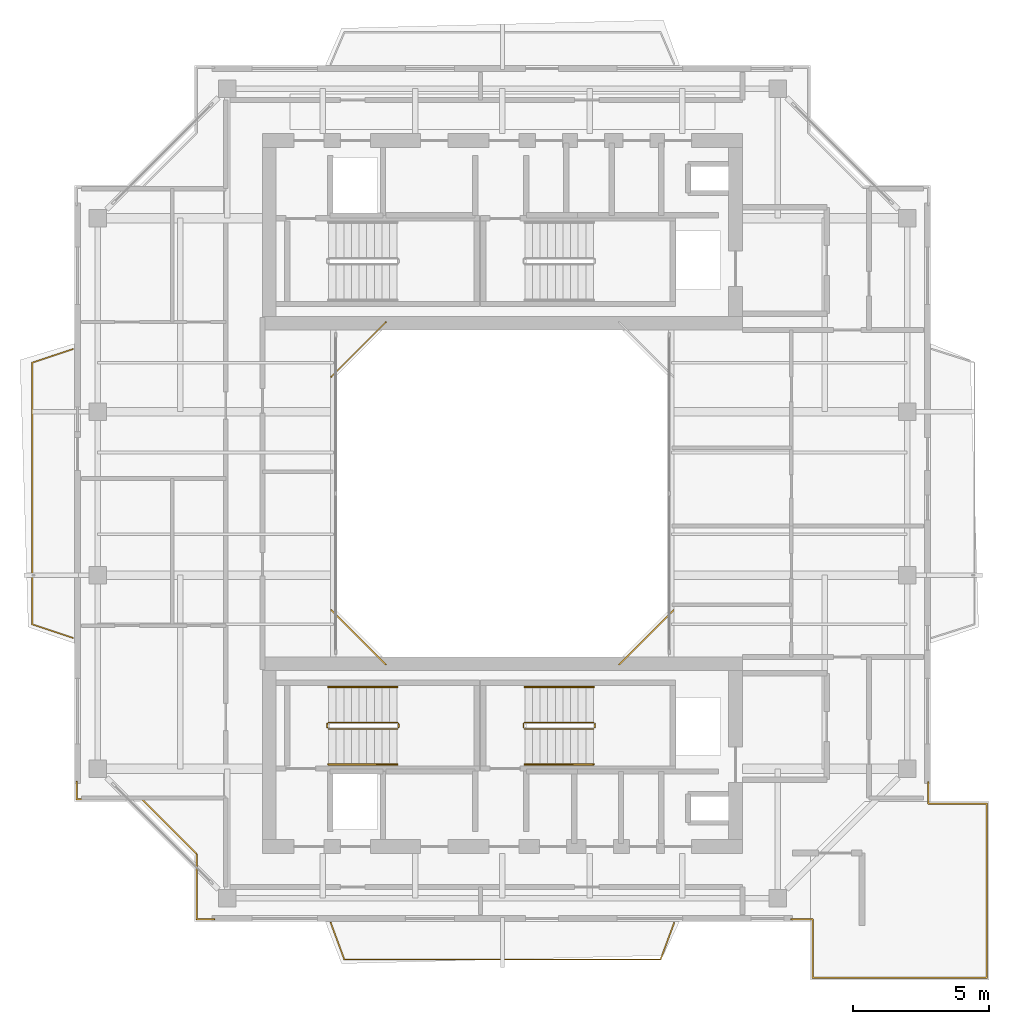
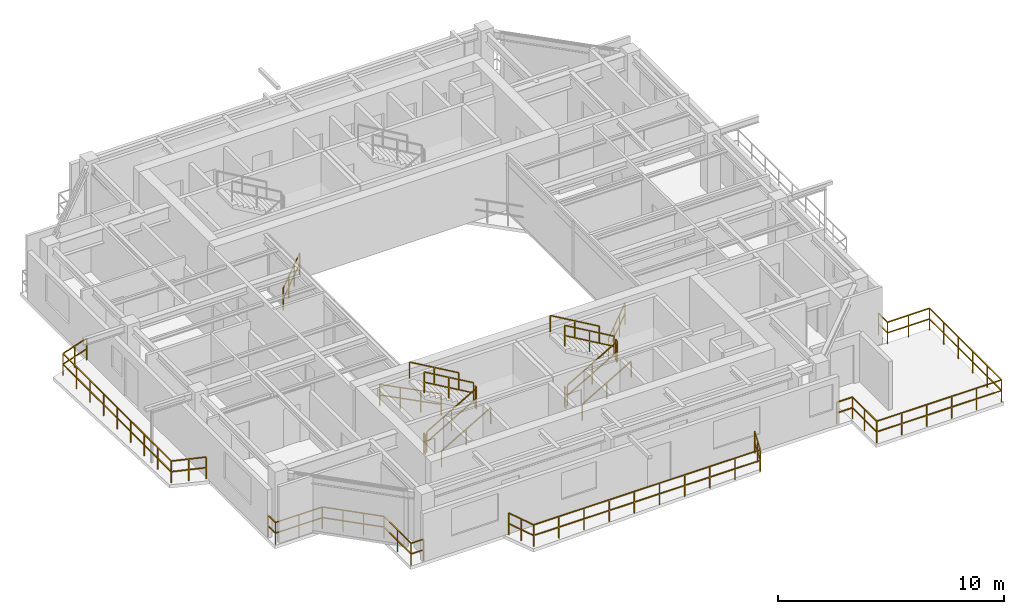
# One storey, part 13 of 14: 19 railings.
"""IFC4 building model written with IfcOpenShell, lengths in metres."""

from ifc_helpers import new_model, si_unit, direction, frame, origin, origin_2d, place, context, subcontext, project, spatial, rectangle, extrude, material, type_object, element, save


model = new_model("IFC4")

# Units and contexts
model_context = context("Model", 3, precision=1e-05, world=origin(), true_north=direction((0.0, 1.0)))
body_context = subcontext(model_context, "Body", "Model", "MODEL_VIEW")
ifc_project = project(units=[si_unit("LENGTHUNIT", "METRE"), si_unit("AREAUNIT", "SQUARE_METRE"), si_unit("VOLUMEUNIT", "CUBIC_METRE"), si_unit("PLANEANGLEUNIT", "RADIAN"), si_unit("MASSUNIT", "GRAM", prefix="KILO"), si_unit("THERMODYNAMICTEMPERATUREUNIT", "KELVIN"), si_unit("POWERUNIT", "WATT")], contexts=[model_context])

# Site, building, storey
site_placement = place(None, origin())
site = spatial("IfcSite", under=ifc_project, at=site_placement, CompositionType="ELEMENT")
building_placement = place(site_placement, origin())
building = spatial("IfcBuilding", under=site, at=building_placement, Name="Qiaomeng Ring Towers", CompositionType="ELEMENT")
storey_placement = place(building_placement, frame((0.0, 0.0, 253.5)))
storey = spatial("IfcBuildingStorey", under=building, at=storey_placement, Name="L74", CompositionType="ELEMENT", Elevation=253.5)

# Railings
ifc_material_1 = material(Name="Low-E pale-green laminated safety glass", Category="glass")
railing_type_1 = type_object("IfcRailingType", Name="ARC-RL-BAL1", PredefinedType="BALUSTRADE", material=ifc_material_1)
railing_1_placement = place(storey_placement, frame((23.280029296875, 16.719970703125, 0.0)))
element("IfcRailing", 1, at=railing_1_placement, inside=storey, type_object=railing_type_1, Name="L74 Balustrade ARC-BAL-WELL1-L74-1", PredefinedType="BALUSTRADE", context=body_context, shape_type="SweptSolid", body=[
    extrude(rectangle(XDim=0.048095703125, YDim=0.048095703125, at=origin_2d()), frame((0.0, 0.0, 1.17578125), z_axis=(0.707106781187, 0.707106781187, 0.0), x_axis=(-0.707106781187, 0.707106781187, 0.0)), (0.0, 0.0, 1.0), 2.828369140625),
    extrude(rectangle(XDim=0.048095703125, YDim=0.048095703125, at=origin_2d()), frame((0.0, 0.0, 0.60009765625), z_axis=(0.707106781187, 0.707106781187, 0.0), x_axis=(-0.707106781187, 0.707106781187, 0.0)), (0.0, 0.0, 1.0), 2.828369140625),
    extrude(rectangle(XDim=0.0419921875, YDim=0.0419921875, at=origin_2d()), origin(), (0.0, 0.0, 1.0), 1.15185546875),
    extrude(rectangle(XDim=0.0419921875, YDim=0.0419921875, at=origin_2d()), frame((0.666748046875, 0.666748046875, 0.0)), (0.0, 0.0, 1.0), 1.15185546875),
    extrude(rectangle(XDim=0.0419921875, YDim=0.0419921875, at=origin_2d()), frame((1.333251953125, 1.333251953125, 0.0)), (0.0, 0.0, 1.0), 1.15185546875),
    extrude(rectangle(XDim=0.0419921875, YDim=0.0419921875, at=origin_2d()), frame((2.0, 2.0, 0.0)), (0.0, 0.0, 1.0), 1.15185546875),
])
railing_2_placement = place(storey_placement, frame((14.719970703125, 29.280029296875, 0.0)))
element("IfcRailing", 2, at=railing_2_placement, inside=storey, type_object=railing_type_1, Name="L74 Balustrade ARC-BAL-WELL1-L74-3", PredefinedType="BALUSTRADE", context=body_context, shape_type="SweptSolid", body=[
    extrude(rectangle(XDim=0.048095703125, YDim=0.048095703125, at=origin_2d()), frame((0.0, 0.0, 1.17578125), z_axis=(-0.707106781187, -0.707106781187, 0.0), x_axis=(0.707106781187, -0.707106781187, 0.0)), (0.0, 0.0, 1.0), 2.828369140625),
    extrude(rectangle(XDim=0.048095703125, YDim=0.048095703125, at=origin_2d()), frame((0.0, 0.0, 0.60009765625), z_axis=(-0.707106781187, -0.707106781187, 0.0), x_axis=(0.707106781187, -0.707106781187, 0.0)), (0.0, 0.0, 1.0), 2.828369140625),
    extrude(rectangle(XDim=0.0419921875, YDim=0.0419921875, at=origin_2d()), origin(), (0.0, 0.0, 1.0), 1.15185546875),
    extrude(rectangle(XDim=0.0419921875, YDim=0.0419921875, at=origin_2d()), frame((-0.666748046875, -0.666748046875, 0.0)), (0.0, 0.0, 1.0), 1.15185546875),
    extrude(rectangle(XDim=0.0419921875, YDim=0.0419921875, at=origin_2d()), frame((-1.333251953125, -1.333251953125, 0.0)), (0.0, 0.0, 1.0), 1.15185546875),
    extrude(rectangle(XDim=0.0419921875, YDim=0.0419921875, at=origin_2d()), frame((-2.0, -2.0, 0.0)), (0.0, 0.0, 1.0), 1.15185546875),
])
railing_3_placement = place(storey_placement, frame((12.719970703125, 18.719970703125, 0.0)))
element("IfcRailing", 3, at=railing_3_placement, inside=storey, type_object=railing_type_1, Name="L74 Balustrade ARC-BAL-WELL1-L74-4", PredefinedType="BALUSTRADE", context=body_context, shape_type="SweptSolid", body=[
    extrude(rectangle(XDim=0.048095703125, YDim=0.048095703125, at=origin_2d()), frame((0.0, 0.0, 1.17578125), z_axis=(0.707106781187, -0.707106781187, 0.0), x_axis=(0.707106781187, 0.707106781187, 0.0)), (0.0, 0.0, 1.0), 2.828369140625),
    extrude(rectangle(XDim=0.048095703125, YDim=0.048095703125, at=origin_2d()), frame((0.0, 0.0, 0.60009765625), z_axis=(0.707106781187, -0.707106781187, 0.0), x_axis=(0.707106781187, 0.707106781187, 0.0)), (0.0, 0.0, 1.0), 2.828369140625),
    extrude(rectangle(XDim=0.0419921875, YDim=0.0419921875, at=origin_2d()), origin(), (0.0, 0.0, 1.0), 1.15185546875),
    extrude(rectangle(XDim=0.0419921875, YDim=0.0419921875, at=origin_2d()), frame((0.666748046875, -0.666748046875, 0.0)), (0.0, 0.0, 1.0), 1.15185546875),
    extrude(rectangle(XDim=0.0419921875, YDim=0.0419921875, at=origin_2d()), frame((1.333251953125, -1.333251953125, 0.0)), (0.0, 0.0, 1.0), 1.15185546875),
    extrude(rectangle(XDim=0.0419921875, YDim=0.0419921875, at=origin_2d()), frame((2.0, -2.0, 0.0)), (0.0, 0.0, 1.0), 1.15185546875),
])
railing_4_placement = place(storey_placement, frame((29.580078125, 7.3798828125, 0.0)))
element("IfcRailing", 4, at=railing_4_placement, inside=storey, type_object=railing_type_1, Name="L74 Balustrade ARC-BAL-L74-SPIRAL-SE", PredefinedType="BALUSTRADE", context=body_context, shape_type="SweptSolid", body=[
    extrude(rectangle(XDim=0.048095703125, YDim=0.048095703125, at=origin_2d()), frame((0.0, 0.0, 1.17578125), z_axis=(1.0, 0.0, 0.0), x_axis=(0.0, 1.0, 0.0)), (0.0, 0.0, 1.0), 0.7998046875),
    extrude(rectangle(XDim=0.048095703125, YDim=0.048095703125, at=origin_2d()), frame((0.0, 0.0, 0.60009765625), z_axis=(1.0, 0.0, 0.0), x_axis=(0.0, 1.0, 0.0)), (0.0, 0.0, 1.0), 0.7998046875),
    extrude(rectangle(XDim=0.048095703125, YDim=0.048095703125, at=origin_2d()), frame((0.7998046875, 0.0, 1.17578125), z_axis=(0.0, -1.0, 0.0), x_axis=(1.0, 0.0, 0.0)), (0.0, 0.0, 1.0), 2.14990234375),
    extrude(rectangle(XDim=0.048095703125, YDim=0.048095703125, at=origin_2d()), frame((0.7998046875, 0.0, 0.60009765625), z_axis=(0.0, -1.0, 0.0), x_axis=(1.0, 0.0, 0.0)), (0.0, 0.0, 1.0), 2.14990234375),
    extrude(rectangle(XDim=0.048095703125, YDim=0.048095703125, at=origin_2d()), frame((0.7998046875, -2.14990234375, 1.17578125), z_axis=(1.0, 0.0, 0.0), x_axis=(0.0, 1.0, 0.0)), (0.0, 0.0, 1.0), 6.39013671875),
    extrude(rectangle(XDim=0.048095703125, YDim=0.048095703125, at=origin_2d()), frame((0.7998046875, -2.14990234375, 0.60009765625), z_axis=(1.0, 0.0, 0.0), x_axis=(0.0, 1.0, 0.0)), (0.0, 0.0, 1.0), 6.39013671875),
    extrude(rectangle(XDim=0.048095703125, YDim=0.048095703125, at=origin_2d()), frame((7.18994140625, -2.14990234375, 1.17578125), z_axis=(0.0, 1.0, 0.0), x_axis=(-1.0, 0.0, 0.0)), (0.0, 0.0, 1.0), 6.39013671875),
    extrude(rectangle(XDim=0.048095703125, YDim=0.048095703125, at=origin_2d()), frame((7.18994140625, -2.14990234375, 0.60009765625), z_axis=(0.0, 1.0, 0.0), x_axis=(-1.0, 0.0, 0.0)), (0.0, 0.0, 1.0), 6.39013671875),
    extrude(rectangle(XDim=0.048095703125, YDim=0.048095703125, at=origin_2d()), frame((7.18994140625, 4.240234375, 1.17578125), z_axis=(-1.0, 0.0, 0.0), x_axis=(0.0, -1.0, 0.0)), (0.0, 0.0, 1.0), 2.14990234375),
    extrude(rectangle(XDim=0.048095703125, YDim=0.048095703125, at=origin_2d()), frame((7.18994140625, 4.240234375, 0.60009765625), z_axis=(-1.0, 0.0, 0.0), x_axis=(0.0, -1.0, 0.0)), (0.0, 0.0, 1.0), 2.14990234375),
    extrude(rectangle(XDim=0.048095703125, YDim=0.048095703125, at=origin_2d()), frame((5.0400390625, 4.240234375, 1.17578125), z_axis=(0.0, 1.0, 0.0), x_axis=(-1.0, 0.0, 0.0)), (0.0, 0.0, 1.0), 0.7998046875),
    extrude(rectangle(XDim=0.048095703125, YDim=0.048095703125, at=origin_2d()), frame((5.0400390625, 4.240234375, 0.60009765625), z_axis=(0.0, 1.0, 0.0), x_axis=(-1.0, 0.0, 0.0)), (0.0, 0.0, 1.0), 0.7998046875),
    extrude(rectangle(XDim=0.0419921875, YDim=0.0419921875, at=origin_2d()), origin(), (0.0, 0.0, 1.0), 1.15185546875),
    extrude(rectangle(XDim=0.0419921875, YDim=0.0419921875, at=origin_2d()), frame((0.7998046875, 0.0, 0.0)), (0.0, 0.0, 1.0), 1.15185546875),
    extrude(rectangle(XDim=0.0419921875, YDim=0.0419921875, at=origin_2d()), frame((0.7998046875, -1.074951171875, 0.0)), (0.0, 0.0, 1.0), 1.15185546875),
    extrude(rectangle(XDim=0.0419921875, YDim=0.0419921875, at=origin_2d()), frame((0.7998046875, -2.14990234375, 0.0)), (0.0, 0.0, 1.0), 1.15185546875),
    extrude(rectangle(XDim=0.0419921875, YDim=0.0419921875, at=origin_2d()), frame((2.077880859375, -2.14990234375, 0.0)), (0.0, 0.0, 1.0), 1.15185546875),
    extrude(rectangle(XDim=0.0419921875, YDim=0.0419921875, at=origin_2d()), frame((3.35595703125, -2.14990234375, 0.0)), (0.0, 0.0, 1.0), 1.15185546875),
    extrude(rectangle(XDim=0.0419921875, YDim=0.0419921875, at=origin_2d()), frame((4.6337890625, -2.14990234375, 0.0)), (0.0, 0.0, 1.0), 1.15185546875),
    extrude(rectangle(XDim=0.0419921875, YDim=0.0419921875, at=origin_2d()), frame((5.911865234375, -2.14990234375, 0.0)), (0.0, 0.0, 1.0), 1.15185546875),
    extrude(rectangle(XDim=0.0419921875, YDim=0.0419921875, at=origin_2d()), frame((7.18994140625, -2.14990234375, 0.0)), (0.0, 0.0, 1.0), 1.15185546875),
    extrude(rectangle(XDim=0.0419921875, YDim=0.0419921875, at=origin_2d()), frame((7.18994140625, -0.871826171875, 0.0)), (0.0, 0.0, 1.0), 1.15185546875),
    extrude(rectangle(XDim=0.0419921875, YDim=0.0419921875, at=origin_2d()), frame((7.18994140625, 0.40625, 0.0)), (0.0, 0.0, 1.0), 1.15185546875),
    extrude(rectangle(XDim=0.0419921875, YDim=0.0419921875, at=origin_2d()), frame((7.18994140625, 1.68408203125, 0.0)), (0.0, 0.0, 1.0), 1.15185546875),
    extrude(rectangle(XDim=0.0419921875, YDim=0.0419921875, at=origin_2d()), frame((7.18994140625, 2.962158203125, 0.0)), (0.0, 0.0, 1.0), 1.15185546875),
    extrude(rectangle(XDim=0.0419921875, YDim=0.0419921875, at=origin_2d()), frame((7.18994140625, 4.240234375, 0.0)), (0.0, 0.0, 1.0), 1.15185546875),
    extrude(rectangle(XDim=0.0419921875, YDim=0.0419921875, at=origin_2d()), frame((6.114990234375, 4.240234375, 0.0)), (0.0, 0.0, 1.0), 1.15185546875),
    extrude(rectangle(XDim=0.0419921875, YDim=0.0419921875, at=origin_2d()), frame((5.0400390625, 4.240234375, 0.0)), (0.0, 0.0, 1.0), 1.15185546875),
    extrude(rectangle(XDim=0.0419921875, YDim=0.0419921875, at=origin_2d()), frame((5.0400390625, 5.0400390625, 0.0)), (0.0, 0.0, 1.0), 1.15185546875),
])
railing_5_placement = place(storey_placement, frame((3.3798828125, 12.429931640625, 0.0)))
element("IfcRailing", 5, at=railing_5_placement, inside=storey, type_object=railing_type_1, Name="L74 Balustrade ARC-BAL-NOTCH1-L74-SW", PredefinedType="BALUSTRADE", context=body_context, shape_type="SweptSolid", body=[
    extrude(rectangle(XDim=0.048095703125, YDim=0.048095703125, at=origin_2d()), frame((0.0, 0.0, 1.17578125), z_axis=(0.0, -1.0, 0.0), x_axis=(1.0, 0.0, 0.0)), (0.0, 0.0, 1.0), 0.64990234375),
    extrude(rectangle(XDim=0.048095703125, YDim=0.048095703125, at=origin_2d()), frame((0.0, 0.0, 0.60009765625), z_axis=(0.0, -1.0, 0.0), x_axis=(1.0, 0.0, 0.0)), (0.0, 0.0, 1.0), 0.64990234375),
    extrude(rectangle(XDim=0.048095703125, YDim=0.048095703125, at=origin_2d()), frame((0.0, -0.64990234375, 1.17578125), z_axis=(1.0, 0.0, 0.0), x_axis=(0.0, 1.0, 0.0)), (0.0, 0.0, 1.0), 2.400146484375),
    extrude(rectangle(XDim=0.048095703125, YDim=0.048095703125, at=origin_2d()), frame((0.0, -0.64990234375, 0.60009765625), z_axis=(1.0, 0.0, 0.0), x_axis=(0.0, 1.0, 0.0)), (0.0, 0.0, 1.0), 2.400146484375),
    extrude(rectangle(XDim=0.048095703125, YDim=0.048095703125, at=origin_2d()), frame((2.400146484375, -0.64990234375, 1.17578125), z_axis=(0.707106781187, -0.707106781187, 0.0), x_axis=(0.707106781187, 0.707106781187, 0.0)), (0.0, 0.0, 1.0), 2.828369140625),
    extrude(rectangle(XDim=0.048095703125, YDim=0.048095703125, at=origin_2d()), frame((2.400146484375, -0.64990234375, 0.60009765625), z_axis=(0.707106781187, -0.707106781187, 0.0), x_axis=(0.707106781187, 0.707106781187, 0.0)), (0.0, 0.0, 1.0), 2.828369140625),
    extrude(rectangle(XDim=0.048095703125, YDim=0.048095703125, at=origin_2d()), frame((4.400146484375, -2.64990234375, 1.17578125), z_axis=(0.0, -1.0, 0.0), x_axis=(1.0, 0.0, 0.0)), (0.0, 0.0, 1.0), 2.400146484375),
    extrude(rectangle(XDim=0.048095703125, YDim=0.048095703125, at=origin_2d()), frame((4.400146484375, -2.64990234375, 0.60009765625), z_axis=(0.0, -1.0, 0.0), x_axis=(1.0, 0.0, 0.0)), (0.0, 0.0, 1.0), 2.400146484375),
    extrude(rectangle(XDim=0.048095703125, YDim=0.048095703125, at=origin_2d()), frame((4.400146484375, -5.050048828125, 1.17578125), z_axis=(1.0, 0.0, 0.0), x_axis=(0.0, 1.0, 0.0)), (0.0, 0.0, 1.0), 0.64990234375),
    extrude(rectangle(XDim=0.048095703125, YDim=0.048095703125, at=origin_2d()), frame((4.400146484375, -5.050048828125, 0.60009765625), z_axis=(1.0, 0.0, 0.0), x_axis=(0.0, 1.0, 0.0)), (0.0, 0.0, 1.0), 0.64990234375),
    extrude(rectangle(XDim=0.0419921875, YDim=0.0419921875, at=origin_2d()), origin(), (0.0, 0.0, 1.0), 1.15185546875),
    extrude(rectangle(XDim=0.0419921875, YDim=0.0419921875, at=origin_2d()), frame((0.0, -0.64990234375, 0.0)), (0.0, 0.0, 1.0), 1.15185546875),
    extrude(rectangle(XDim=0.0419921875, YDim=0.0419921875, at=origin_2d()), frame((1.2001953125, -0.64990234375, 0.0)), (0.0, 0.0, 1.0), 1.15185546875),
    extrude(rectangle(XDim=0.0419921875, YDim=0.0419921875, at=origin_2d()), frame((2.400146484375, -0.64990234375, 0.0)), (0.0, 0.0, 1.0), 1.15185546875),
    extrude(rectangle(XDim=0.0419921875, YDim=0.0419921875, at=origin_2d()), frame((3.06689453125, -1.316650390625, 0.0)), (0.0, 0.0, 1.0), 1.15185546875),
    extrude(rectangle(XDim=0.0419921875, YDim=0.0419921875, at=origin_2d()), frame((3.7333984375, -1.983154296875, 0.0)), (0.0, 0.0, 1.0), 1.15185546875),
    extrude(rectangle(XDim=0.0419921875, YDim=0.0419921875, at=origin_2d()), frame((4.400146484375, -2.64990234375, 0.0)), (0.0, 0.0, 1.0), 1.15185546875),
    extrude(rectangle(XDim=0.0419921875, YDim=0.0419921875, at=origin_2d()), frame((4.400146484375, -3.85009765625, 0.0)), (0.0, 0.0, 1.0), 1.15185546875),
    extrude(rectangle(XDim=0.0419921875, YDim=0.0419921875, at=origin_2d()), frame((4.400146484375, -5.050048828125, 0.0)), (0.0, 0.0, 1.0), 1.15185546875),
    extrude(rectangle(XDim=0.0419921875, YDim=0.0419921875, at=origin_2d()), frame((5.050048828125, -5.050048828125, 0.0)), (0.0, 0.0, 1.0), 1.15185546875),
])
railing_6_placement = place(storey_placement, frame((12.699951171875, 7.25, 0.0)))
element("IfcRailing", 6, at=railing_6_placement, inside=storey, type_object=railing_type_1, Name="L74 Balustrade ARC-BAL-L74-T1-S", PredefinedType="BALUSTRADE", context=body_context, shape_type="SweptSolid", body=[
    extrude(rectangle(XDim=0.048095703125, YDim=0.048095703125, at=origin_2d()), frame((0.0, 0.0, 1.17578125), z_axis=(0.34729226376, -0.937756942673, 0.0), x_axis=(0.937756942673, 0.34729226376, 0.0)), (0.0, 0.0, 1.0), 1.439697265625),
    extrude(rectangle(XDim=0.048095703125, YDim=0.048095703125, at=origin_2d()), frame((0.0, 0.0, 0.60009765625), z_axis=(0.34729226376, -0.937756942673, 0.0), x_axis=(0.937756942673, 0.34729226376, 0.0)), (0.0, 0.0, 1.0), 1.439697265625),
    extrude(rectangle(XDim=0.048095703125, YDim=0.048095703125, at=origin_2d()), frame((0.5, -1.35009765625, 1.17578125), z_axis=(1.0, 0.0, 0.0), x_axis=(0.0, 1.0, 0.0)), (0.0, 0.0, 1.0), 11.60009765625),
    extrude(rectangle(XDim=0.048095703125, YDim=0.048095703125, at=origin_2d()), frame((0.5, -1.35009765625, 0.60009765625), z_axis=(1.0, 0.0, 0.0), x_axis=(0.0, 1.0, 0.0)), (0.0, 0.0, 1.0), 11.60009765625),
    extrude(rectangle(XDim=0.048095703125, YDim=0.048095703125, at=origin_2d()), frame((12.10009765625, -1.35009765625, 1.17578125), z_axis=(0.34729226376, 0.937756942673, 0.0), x_axis=(-0.937756942673, 0.34729226376, 0.0)), (0.0, 0.0, 1.0), 1.439697265625),
    extrude(rectangle(XDim=0.048095703125, YDim=0.048095703125, at=origin_2d()), frame((12.10009765625, -1.35009765625, 0.60009765625), z_axis=(0.34729226376, 0.937756942673, 0.0), x_axis=(-0.937756942673, 0.34729226376, 0.0)), (0.0, 0.0, 1.0), 1.439697265625),
    extrude(rectangle(XDim=0.0419921875, YDim=0.0419921875, at=origin_2d()), origin(), (0.0, 0.0, 1.0), 1.15185546875),
    extrude(rectangle(XDim=0.0419921875, YDim=0.0419921875, at=origin_2d()), frame((0.25, -0.675048828125, 0.0)), (0.0, 0.0, 1.0), 1.15185546875),
    extrude(rectangle(XDim=0.0419921875, YDim=0.0419921875, at=origin_2d()), frame((0.5, -1.35009765625, 0.0)), (0.0, 0.0, 1.0), 1.15185546875),
    extrude(rectangle(XDim=0.0419921875, YDim=0.0419921875, at=origin_2d()), frame((1.788818359375, -1.35009765625, 0.0)), (0.0, 0.0, 1.0), 1.15185546875),
    extrude(rectangle(XDim=0.0419921875, YDim=0.0419921875, at=origin_2d()), frame((3.077880859375, -1.35009765625, 0.0)), (0.0, 0.0, 1.0), 1.15185546875),
    extrude(rectangle(XDim=0.0419921875, YDim=0.0419921875, at=origin_2d()), frame((4.36669921875, -1.35009765625, 0.0)), (0.0, 0.0, 1.0), 1.15185546875),
    extrude(rectangle(XDim=0.0419921875, YDim=0.0419921875, at=origin_2d()), frame((5.655517578125, -1.35009765625, 0.0)), (0.0, 0.0, 1.0), 1.15185546875),
    extrude(rectangle(XDim=0.0419921875, YDim=0.0419921875, at=origin_2d()), frame((6.944580078125, -1.35009765625, 0.0)), (0.0, 0.0, 1.0), 1.15185546875),
    extrude(rectangle(XDim=0.0419921875, YDim=0.0419921875, at=origin_2d()), frame((8.2333984375, -1.35009765625, 0.0)), (0.0, 0.0, 1.0), 1.15185546875),
    extrude(rectangle(XDim=0.0419921875, YDim=0.0419921875, at=origin_2d()), frame((9.522216796875, -1.35009765625, 0.0)), (0.0, 0.0, 1.0), 1.15185546875),
    extrude(rectangle(XDim=0.0419921875, YDim=0.0419921875, at=origin_2d()), frame((10.811279296875, -1.35009765625, 0.0)), (0.0, 0.0, 1.0), 1.15185546875),
    extrude(rectangle(XDim=0.0419921875, YDim=0.0419921875, at=origin_2d()), frame((12.10009765625, -1.35009765625, 0.0)), (0.0, 0.0, 1.0), 1.15185546875),
    extrude(rectangle(XDim=0.0419921875, YDim=0.0419921875, at=origin_2d()), frame((12.35009765625, -0.675048828125, 0.0)), (0.0, 0.0, 1.0), 1.15185546875),
    extrude(rectangle(XDim=0.0419921875, YDim=0.0419921875, at=origin_2d()), frame((12.60009765625, 0.0, 0.0)), (0.0, 0.0, 1.0), 1.15185546875),
])
railing_7_placement = place(storey_placement, frame((3.25, 17.699951171875, 0.0)))
element("IfcRailing", 7, at=railing_7_placement, inside=storey, type_object=railing_type_1, Name="L74 Balustrade ARC-BAL-L74-T1-W", PredefinedType="BALUSTRADE", context=body_context, shape_type="SweptSolid", body=[
    extrude(rectangle(XDim=0.048095703125, YDim=0.048095703125, at=origin_2d()), frame((0.0, 0.0, 1.17578125), z_axis=(-0.948683298051, 0.316227766017, 0.0), x_axis=(-0.316227766017, -0.948683298051, 0.0)), (0.0, 0.0, 1.0), 1.5810546875),
    extrude(rectangle(XDim=0.048095703125, YDim=0.048095703125, at=origin_2d()), frame((0.0, 0.0, 0.60009765625), z_axis=(-0.948683298051, 0.316227766017, 0.0), x_axis=(-0.316227766017, -0.948683298051, 0.0)), (0.0, 0.0, 1.0), 1.5810546875),
    extrude(rectangle(XDim=0.048095703125, YDim=0.048095703125, at=origin_2d()), frame((-1.5, 0.5, 1.17578125), z_axis=(0.0, 1.0, 0.0), x_axis=(-1.0, 0.0, 0.0)), (0.0, 0.0, 1.0), 9.60009765625),
    extrude(rectangle(XDim=0.048095703125, YDim=0.048095703125, at=origin_2d()), frame((-1.5, 0.5, 0.60009765625), z_axis=(0.0, 1.0, 0.0), x_axis=(-1.0, 0.0, 0.0)), (0.0, 0.0, 1.0), 9.60009765625),
    extrude(rectangle(XDim=0.048095703125, YDim=0.048095703125, at=origin_2d()), frame((-1.5, 10.10009765625, 1.17578125), z_axis=(0.948683298051, 0.316227766017, 0.0), x_axis=(-0.316227766017, 0.948683298051, 0.0)), (0.0, 0.0, 1.0), 1.5810546875),
    extrude(rectangle(XDim=0.048095703125, YDim=0.048095703125, at=origin_2d()), frame((-1.5, 10.10009765625, 0.60009765625), z_axis=(0.948683298051, 0.316227766017, 0.0), x_axis=(-0.316227766017, 0.948683298051, 0.0)), (0.0, 0.0, 1.0), 1.5810546875),
    extrude(rectangle(XDim=0.0419921875, YDim=0.0419921875, at=origin_2d()), origin(), (0.0, 0.0, 1.0), 1.15185546875),
    extrude(rectangle(XDim=0.0419921875, YDim=0.0419921875, at=origin_2d()), frame((-0.75, 0.25, 0.0)), (0.0, 0.0, 1.0), 1.15185546875),
    extrude(rectangle(XDim=0.0419921875, YDim=0.0419921875, at=origin_2d()), frame((-1.5, 0.5, 0.0)), (0.0, 0.0, 1.0), 1.15185546875),
    extrude(rectangle(XDim=0.0419921875, YDim=0.0419921875, at=origin_2d()), frame((-1.5, 1.699951171875, 0.0)), (0.0, 0.0, 1.0), 1.15185546875),
    extrude(rectangle(XDim=0.0419921875, YDim=0.0419921875, at=origin_2d()), frame((-1.5, 2.89990234375, 0.0)), (0.0, 0.0, 1.0), 1.15185546875),
    extrude(rectangle(XDim=0.0419921875, YDim=0.0419921875, at=origin_2d()), frame((-1.5, 4.10009765625, 0.0)), (0.0, 0.0, 1.0), 1.15185546875),
    extrude(rectangle(XDim=0.0419921875, YDim=0.0419921875, at=origin_2d()), frame((-1.5, 5.300048828125, 0.0)), (0.0, 0.0, 1.0), 1.15185546875),
    extrude(rectangle(XDim=0.0419921875, YDim=0.0419921875, at=origin_2d()), frame((-1.5, 6.5, 0.0)), (0.0, 0.0, 1.0), 1.15185546875),
    extrude(rectangle(XDim=0.0419921875, YDim=0.0419921875, at=origin_2d()), frame((-1.5, 7.7001953125, 0.0)), (0.0, 0.0, 1.0), 1.15185546875),
    extrude(rectangle(XDim=0.0419921875, YDim=0.0419921875, at=origin_2d()), frame((-1.5, 8.900146484375, 0.0)), (0.0, 0.0, 1.0), 1.15185546875),
    extrude(rectangle(XDim=0.0419921875, YDim=0.0419921875, at=origin_2d()), frame((-1.5, 10.10009765625, 0.0)), (0.0, 0.0, 1.0), 1.15185546875),
    extrude(rectangle(XDim=0.0419921875, YDim=0.0419921875, at=origin_2d()), frame((-0.75, 10.35009765625, 0.0)), (0.0, 0.0, 1.0), 1.15185546875),
    extrude(rectangle(XDim=0.0419921875, YDim=0.0419921875, at=origin_2d()), frame((0.0, 10.60009765625, 0.0)), (0.0, 0.0, 1.0), 1.15185546875),
])
ifc_material_2 = material(Name="Galvanised steel", Category="steel")
railing_type_2 = type_object("IfcRailingType", Name="ARC-RL-GUARD", PredefinedType="GUARDRAIL", material=ifc_material_2)
railing_8_placement = place(storey_placement, frame((12.6201171875, 14.360107421875, 0.16259765625)))
element("IfcRailing", 8, at=railing_8_placement, inside=storey, type_object=railing_type_2, Name="L74 ST3 stair guard 1", PredefinedType="GUARDRAIL", context=body_context, shape_type="SweptSolid", body=[
    extrude(rectangle(XDim=0.048095703125, YDim=0.048095703125, at=origin_2d()), frame((0.0, 0.0, 1.1259765625), z_axis=(0.864892226395, 0.0, 0.501957604506), x_axis=(0.0, 1.0, 0.0)), (0.0, 0.0, 1.0), 2.913330078125),
    extrude(rectangle(XDim=0.048095703125, YDim=0.048095703125, at=origin_2d()), frame((0.0, 0.0, 0.574951171875), z_axis=(0.864892226395, 0.0, 0.501957604506), x_axis=(0.0, 1.0, 0.0)), (0.0, 0.0, 1.0), 2.913330078125),
    extrude(rectangle(XDim=0.0419921875, YDim=0.0419921875, at=origin_2d()), origin(), (0.0, 0.0, 1.0), 1.101806640625),
    extrude(rectangle(XDim=0.0419921875, YDim=0.0419921875, at=origin_2d()), frame((1.259765625, 0.0, 0.731201171875)), (0.0, 0.0, 1.0), 1.101806640625),
    extrude(rectangle(XDim=0.0419921875, YDim=0.0419921875, at=origin_2d()), frame((2.519775390625, 0.0, 1.46240234375)), (0.0, 0.0, 1.0), 1.101806640625),
])
railing_9_placement = place(storey_placement, frame((15.18994140625, 14.409912109375, 1.625)))
element("IfcRailing", 9, at=railing_9_placement, inside=storey, type_object=railing_type_2, Name="L74 ST3 stair guard 2", PredefinedType="GUARDRAIL", context=body_context, shape_type="SweptSolid", body=[
    extrude(rectangle(XDim=0.048095703125, YDim=0.048095703125, at=origin_2d()), frame((0.0, 0.0, 1.1259765625), z_axis=(0.0, 1.0, 0.0), x_axis=(-1.0, 0.0, 0.0)), (0.0, 0.0, 1.0), 0.14013671875),
    extrude(rectangle(XDim=0.048095703125, YDim=0.048095703125, at=origin_2d()), frame((0.0, 0.0, 0.574951171875), z_axis=(0.0, 1.0, 0.0), x_axis=(-1.0, 0.0, 0.0)), (0.0, 0.0, 1.0), 0.14013671875),
    extrude(rectangle(XDim=0.0419921875, YDim=0.0419921875, at=origin_2d()), origin(), (0.0, 0.0, 1.0), 1.101806640625),
    extrude(rectangle(XDim=0.0419921875, YDim=0.0419921875, at=origin_2d()), frame((0.0, 0.14013671875, 0.0)), (0.0, 0.0, 1.0), 1.101806640625),
])
railing_10_placement = place(storey_placement, frame((15.139892578125, 14.60009765625, 1.78759765625)))
element("IfcRailing", 10, at=railing_10_placement, inside=storey, type_object=railing_type_2, Name="L74 ST3 stair guard 3", PredefinedType="GUARDRAIL", context=body_context, shape_type="SweptSolid", body=[
    extrude(rectangle(XDim=0.048095703125, YDim=0.048095703125, at=origin_2d()), frame((0.0, 0.0, 1.1259765625), z_axis=(-0.864892226395, 0.0, 0.501957604506), x_axis=(0.0, -1.0, 0.0)), (0.0, 0.0, 1.0), 2.913330078125),
    extrude(rectangle(XDim=0.048095703125, YDim=0.048095703125, at=origin_2d()), frame((0.0, 0.0, 0.574951171875), z_axis=(-0.864892226395, 0.0, 0.501957604506), x_axis=(0.0, -1.0, 0.0)), (0.0, 0.0, 1.0), 2.913330078125),
    extrude(rectangle(XDim=0.0419921875, YDim=0.0419921875, at=origin_2d()), origin(), (0.0, 0.0, 1.0), 1.101806640625),
    extrude(rectangle(XDim=0.0419921875, YDim=0.0419921875, at=origin_2d()), frame((-1.259765625, 0.0, 0.731201171875)), (0.0, 0.0, 1.0), 1.101806640625),
    extrude(rectangle(XDim=0.0419921875, YDim=0.0419921875, at=origin_2d()), frame((-2.519775390625, 0.0, 1.46240234375)), (0.0, 0.0, 1.0), 1.101806640625),
])
railing_11_placement = place(storey_placement, frame((12.570068359375, 14.409912109375, 0.0)))
element("IfcRailing", 11, at=railing_11_placement, inside=storey, type_object=railing_type_2, Name="L74 ST3 stair guard 4", PredefinedType="GUARDRAIL", context=body_context, shape_type="SweptSolid", body=[
    extrude(rectangle(XDim=0.048095703125, YDim=0.048095703125, at=origin_2d()), frame((0.0, 0.0, 1.1259765625), z_axis=(0.0, 1.0, 0.0), x_axis=(-1.0, 0.0, 0.0)), (0.0, 0.0, 1.0), 0.14013671875),
    extrude(rectangle(XDim=0.048095703125, YDim=0.048095703125, at=origin_2d()), frame((0.0, 0.0, 0.574951171875), z_axis=(0.0, 1.0, 0.0), x_axis=(-1.0, 0.0, 0.0)), (0.0, 0.0, 1.0), 0.14013671875),
    extrude(rectangle(XDim=0.0419921875, YDim=0.0419921875, at=origin_2d()), origin(), (0.0, 0.0, 1.0), 1.101806640625),
    extrude(rectangle(XDim=0.0419921875, YDim=0.0419921875, at=origin_2d()), frame((0.0, 0.14013671875, 0.0)), (0.0, 0.0, 1.0), 1.101806640625),
])
railing_12_placement = place(storey_placement, frame((19.820068359375, 14.360107421875, 0.16259765625)))
element("IfcRailing", 12, at=railing_12_placement, inside=storey, type_object=railing_type_2, Name="L74 ST4 stair guard 1", PredefinedType="GUARDRAIL", context=body_context, shape_type="SweptSolid", body=[
    extrude(rectangle(XDim=0.048095703125, YDim=0.048095703125, at=origin_2d()), frame((0.0, 0.0, 1.1259765625), z_axis=(0.864913338283, 0.0, 0.50192122615), x_axis=(0.0, 1.0, 0.0)), (0.0, 0.0, 1.0), 2.91357421875),
    extrude(rectangle(XDim=0.048095703125, YDim=0.048095703125, at=origin_2d()), frame((0.0, 0.0, 0.574951171875), z_axis=(0.864913338283, 0.0, 0.50192122615), x_axis=(0.0, 1.0, 0.0)), (0.0, 0.0, 1.0), 2.91357421875),
    extrude(rectangle(XDim=0.0419921875, YDim=0.0419921875, at=origin_2d()), origin(), (0.0, 0.0, 1.0), 1.101806640625),
    extrude(rectangle(XDim=0.0419921875, YDim=0.0419921875, at=origin_2d()), frame((1.260009765625, 0.0, 0.731201171875)), (0.0, 0.0, 1.0), 1.101806640625),
    extrude(rectangle(XDim=0.0419921875, YDim=0.0419921875, at=origin_2d()), frame((2.52001953125, 0.0, 1.46240234375)), (0.0, 0.0, 1.0), 1.101806640625),
])
railing_13_placement = place(storey_placement, frame((22.389892578125, 14.409912109375, 1.625)))
element("IfcRailing", 13, at=railing_13_placement, inside=storey, type_object=railing_type_2, Name="L74 ST4 stair guard 2", PredefinedType="GUARDRAIL", context=body_context, shape_type="SweptSolid", body=[
    extrude(rectangle(XDim=0.048095703125, YDim=0.048095703125, at=origin_2d()), frame((0.0, 0.0, 1.1259765625), z_axis=(0.0, 1.0, 0.0), x_axis=(-1.0, 0.0, 0.0)), (0.0, 0.0, 1.0), 0.14013671875),
    extrude(rectangle(XDim=0.048095703125, YDim=0.048095703125, at=origin_2d()), frame((0.0, 0.0, 0.574951171875), z_axis=(0.0, 1.0, 0.0), x_axis=(-1.0, 0.0, 0.0)), (0.0, 0.0, 1.0), 0.14013671875),
    extrude(rectangle(XDim=0.0419921875, YDim=0.0419921875, at=origin_2d()), origin(), (0.0, 0.0, 1.0), 1.101806640625),
    extrude(rectangle(XDim=0.0419921875, YDim=0.0419921875, at=origin_2d()), frame((0.0, 0.14013671875, 0.0)), (0.0, 0.0, 1.0), 1.101806640625),
])
railing_14_placement = place(storey_placement, frame((22.340087890625, 14.60009765625, 1.78759765625)))
element("IfcRailing", 14, at=railing_14_placement, inside=storey, type_object=railing_type_2, Name="L74 ST4 stair guard 3", PredefinedType="GUARDRAIL", context=body_context, shape_type="SweptSolid", body=[
    extrude(rectangle(XDim=0.048095703125, YDim=0.048095703125, at=origin_2d()), frame((0.0, 0.0, 1.1259765625), z_axis=(-0.864913338283, 0.0, 0.50192122615), x_axis=(0.0, -1.0, 0.0)), (0.0, 0.0, 1.0), 2.91357421875),
    extrude(rectangle(XDim=0.048095703125, YDim=0.048095703125, at=origin_2d()), frame((0.0, 0.0, 0.574951171875), z_axis=(-0.864913338283, 0.0, 0.50192122615), x_axis=(0.0, -1.0, 0.0)), (0.0, 0.0, 1.0), 2.91357421875),
    extrude(rectangle(XDim=0.0419921875, YDim=0.0419921875, at=origin_2d()), origin(), (0.0, 0.0, 1.0), 1.101806640625),
    extrude(rectangle(XDim=0.0419921875, YDim=0.0419921875, at=origin_2d()), frame((-1.260009765625, 0.0, 0.731201171875)), (0.0, 0.0, 1.0), 1.101806640625),
    extrude(rectangle(XDim=0.0419921875, YDim=0.0419921875, at=origin_2d()), frame((-2.52001953125, 0.0, 1.46240234375)), (0.0, 0.0, 1.0), 1.101806640625),
])
railing_15_placement = place(storey_placement, frame((19.77001953125, 14.409912109375, 0.0)))
element("IfcRailing", 15, at=railing_15_placement, inside=storey, type_object=railing_type_2, Name="L74 ST4 stair guard 4", PredefinedType="GUARDRAIL", context=body_context, shape_type="SweptSolid", body=[
    extrude(rectangle(XDim=0.048095703125, YDim=0.048095703125, at=origin_2d()), frame((0.0, 0.0, 1.1259765625), z_axis=(0.0, 1.0, 0.0), x_axis=(-1.0, 0.0, 0.0)), (0.0, 0.0, 1.0), 0.14013671875),
    extrude(rectangle(XDim=0.048095703125, YDim=0.048095703125, at=origin_2d()), frame((0.0, 0.0, 0.574951171875), z_axis=(0.0, 1.0, 0.0), x_axis=(-1.0, 0.0, 0.0)), (0.0, 0.0, 1.0), 0.14013671875),
    extrude(rectangle(XDim=0.0419921875, YDim=0.0419921875, at=origin_2d()), origin(), (0.0, 0.0, 1.0), 1.101806640625),
    extrude(rectangle(XDim=0.0419921875, YDim=0.0419921875, at=origin_2d()), frame((0.0, 0.14013671875, 0.0)), (0.0, 0.0, 1.0), 1.101806640625),
])
ifc_material_3 = material(Name="Stainless steel 316", Category="steel")
railing_type_3 = type_object("IfcRailingType", Name="ARC-RL-HAND", PredefinedType="HANDRAIL", material=ifc_material_3)
railing_16_placement = place(storey_placement, frame((12.6201171875, 13.06005859375, 0.16259765625)))
element("IfcRailing", 16, at=railing_16_placement, inside=storey, type_object=railing_type_3, Name="L74 ST3 stair handrail 1", PredefinedType="HANDRAIL", context=body_context, shape_type="SweptSolid", body=[
    extrude(rectangle(XDim=0.048095703125, YDim=0.048095703125, at=origin_2d()), frame((0.0, 0.0, 0.8759765625), z_axis=(0.864892226395, 0.0, 0.501957604506), x_axis=(0.0, 1.0, 0.0)), (0.0, 0.0, 1.0), 2.913330078125),
    extrude(rectangle(XDim=0.0419921875, YDim=0.0419921875, at=origin_2d()), origin(), (0.0, 0.0, 1.0), 0.851806640625),
    extrude(rectangle(XDim=0.0419921875, YDim=0.0419921875, at=origin_2d()), frame((1.259765625, 0.0, 0.731201171875)), (0.0, 0.0, 1.0), 0.851806640625),
    extrude(rectangle(XDim=0.0419921875, YDim=0.0419921875, at=origin_2d()), frame((2.519775390625, 0.0, 1.46240234375)), (0.0, 0.0, 1.0), 0.851806640625),
])
railing_17_placement = place(storey_placement, frame((15.139892578125, 15.89990234375, 1.78759765625)))
element("IfcRailing", 17, at=railing_17_placement, inside=storey, type_object=railing_type_3, Name="L74 ST3 stair handrail 2", PredefinedType="HANDRAIL", context=body_context, shape_type="SweptSolid", body=[
    extrude(rectangle(XDim=0.048095703125, YDim=0.048095703125, at=origin_2d()), frame((0.0, 0.0, 0.8759765625), z_axis=(-0.864892226395, 0.0, 0.501957604506), x_axis=(0.0, -1.0, 0.0)), (0.0, 0.0, 1.0), 2.913330078125),
    extrude(rectangle(XDim=0.0419921875, YDim=0.0419921875, at=origin_2d()), origin(), (0.0, 0.0, 1.0), 0.851806640625),
    extrude(rectangle(XDim=0.0419921875, YDim=0.0419921875, at=origin_2d()), frame((-1.259765625, 0.0, 0.731201171875)), (0.0, 0.0, 1.0), 0.851806640625),
    extrude(rectangle(XDim=0.0419921875, YDim=0.0419921875, at=origin_2d()), frame((-2.519775390625, 0.0, 1.46240234375)), (0.0, 0.0, 1.0), 0.851806640625),
])
railing_18_placement = place(storey_placement, frame((19.820068359375, 13.06005859375, 0.16259765625)))
element("IfcRailing", 18, at=railing_18_placement, inside=storey, type_object=railing_type_3, Name="L74 ST4 stair handrail 1", PredefinedType="HANDRAIL", context=body_context, shape_type="SweptSolid", body=[
    extrude(rectangle(XDim=0.048095703125, YDim=0.048095703125, at=origin_2d()), frame((0.0, 0.0, 0.8759765625), z_axis=(0.864913338283, 0.0, 0.50192122615), x_axis=(0.0, 1.0, 0.0)), (0.0, 0.0, 1.0), 2.91357421875),
    extrude(rectangle(XDim=0.0419921875, YDim=0.0419921875, at=origin_2d()), origin(), (0.0, 0.0, 1.0), 0.851806640625),
    extrude(rectangle(XDim=0.0419921875, YDim=0.0419921875, at=origin_2d()), frame((1.260009765625, 0.0, 0.731201171875)), (0.0, 0.0, 1.0), 0.851806640625),
    extrude(rectangle(XDim=0.0419921875, YDim=0.0419921875, at=origin_2d()), frame((2.52001953125, 0.0, 1.46240234375)), (0.0, 0.0, 1.0), 0.851806640625),
])
railing_19_placement = place(storey_placement, frame((22.340087890625, 15.89990234375, 1.78759765625)))
element("IfcRailing", 19, at=railing_19_placement, inside=storey, type_object=railing_type_3, Name="L74 ST4 stair handrail 2", PredefinedType="HANDRAIL", context=body_context, shape_type="SweptSolid", body=[
    extrude(rectangle(XDim=0.048095703125, YDim=0.048095703125, at=origin_2d()), frame((0.0, 0.0, 0.8759765625), z_axis=(-0.864913338283, 0.0, 0.50192122615), x_axis=(0.0, -1.0, 0.0)), (0.0, 0.0, 1.0), 2.91357421875),
    extrude(rectangle(XDim=0.0419921875, YDim=0.0419921875, at=origin_2d()), origin(), (0.0, 0.0, 1.0), 0.851806640625),
    extrude(rectangle(XDim=0.0419921875, YDim=0.0419921875, at=origin_2d()), frame((-1.260009765625, 0.0, 0.731201171875)), (0.0, 0.0, 1.0), 0.851806640625),
    extrude(rectangle(XDim=0.0419921875, YDim=0.0419921875, at=origin_2d()), frame((-2.52001953125, 0.0, 1.46240234375)), (0.0, 0.0, 1.0), 0.851806640625),
])

save(model, "model.ifc")
